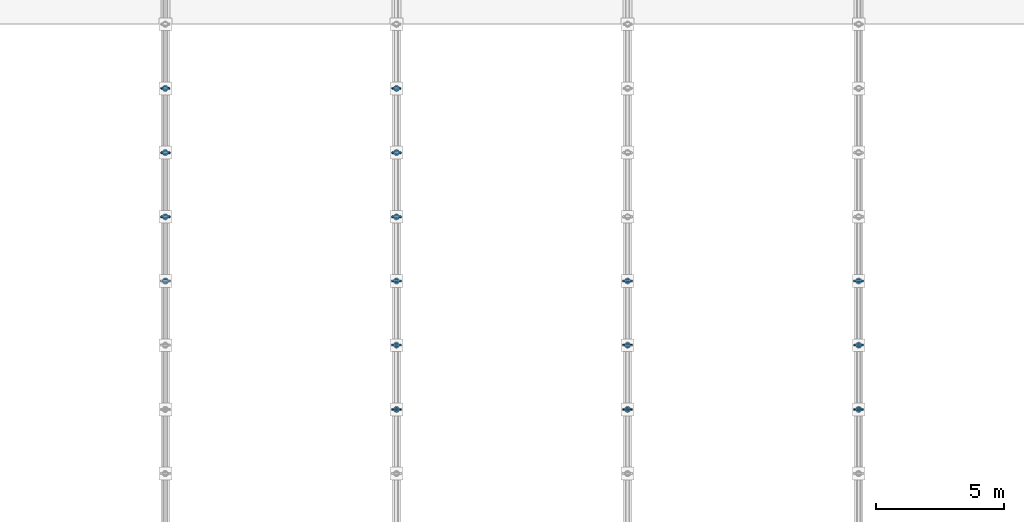
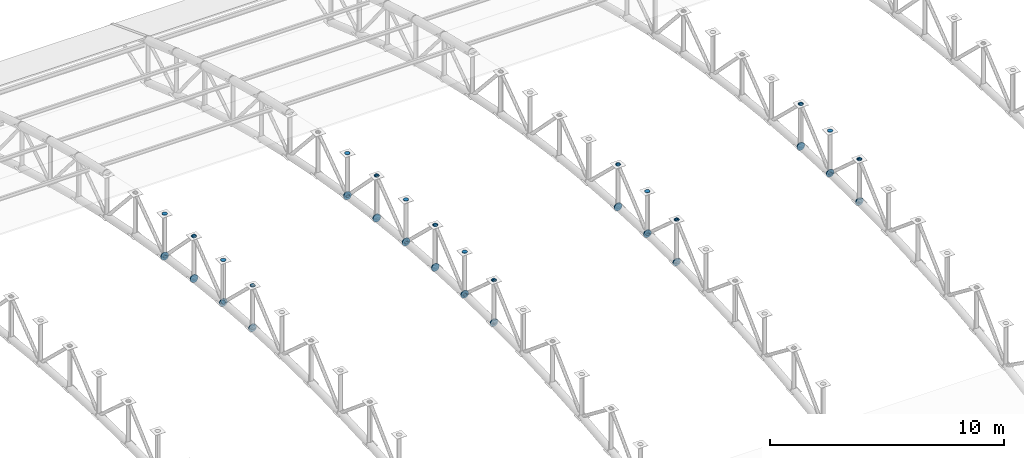
# One storey, part 157 of 195: 94 discrete accessories.
"""IFC4 building model written with IfcOpenShell, lengths in metres."""

from ifc_helpers import new_model, si_unit, direction, frame, origin, origin_2d, place, context, subcontext, project, spatial, circle, extrude, material, element, save


model = new_model("IFC4")

# Units and contexts
model_context = context("Model", 3, precision=1e-05, world=origin(), true_north=direction((0.0, 1.0)))
body_context = subcontext(model_context, "Body", "Model", "MODEL_VIEW")
ifc_project = project(units=[si_unit("LENGTHUNIT", "METRE"), si_unit("AREAUNIT", "SQUARE_METRE"), si_unit("VOLUMEUNIT", "CUBIC_METRE"), si_unit("PLANEANGLEUNIT", "RADIAN"), si_unit("MASSUNIT", "GRAM", prefix="KILO")], contexts=[model_context])

# Site, building, storey
site_placement = place(None, origin())
site = spatial("IfcSite", under=ifc_project, at=site_placement, CompositionType="ELEMENT")
building_placement = place(site_placement, origin())
building = spatial("IfcBuilding", under=site, at=building_placement, Name="Marlcrest Central Station", CompositionType="ELEMENT")
storey_placement = place(building_placement, frame((0.0, 0.0, 9.800048828125)))
storey = spatial("IfcBuildingStorey", under=building, at=storey_placement, Name="L02", CompositionType="ELEMENT", Elevation=9.800048828125)

# Discrete accessories
ifc_material = material(Name="Steel S355", Category="steel")
for number, where, z_axis, x_axis, name in (
    (1, (162.0, 70.985107421875, 4.64599609375), (0.0, 0.997007334767, -0.077307014043), (-1.0, 0.0, 0.0), "endcap-mem-AC-02-L02-01381-s"),
    (2, (162.0, 73.47509765625, 4.452880859375), (0.0, 0.997007334767, -0.077307014043), (-1.0, 0.0, 0.0), "endcap-mem-AC-02-L02-01381-e"),
):
    element("IfcDiscreteAccessory", number, at=place(storey_placement, frame(where, z_axis=z_axis, x_axis=x_axis)), inside=storey, material=ifc_material, Name=name, ObjectType="END_CAP_PLATE", PredefinedType="BRACKET", context=body_context, shape_type="SweptSolid", body=[
        extrude(circle(Radius=0.185791015625, at=origin_2d()), origin(), (0.0, 0.0, 1.0), 0.0400390625),
    ])
for number, where, z_axis, x_axis, name in (
    (3, (162.0, 71.0, 4.6298828125), (0.0, 0.0, 1.0), (1.0, 0.0, 0.0), "endcap-mem-AP-01-L02-01382-s"),
    (4, (162.0, 71.0, 6.820068359375), (0.0, 0.0, 1.0), (1.0, 0.0, 0.0), "endcap-mem-AP-01-L02-01382-e"),
):
    element("IfcDiscreteAccessory", number, at=place(storey_placement, frame(where, z_axis=z_axis, x_axis=x_axis)), inside=storey, material=ifc_material, Name=name, ObjectType="END_CAP_PLATE", PredefinedType="BRACKET", context=body_context, shape_type="SweptSolid", body=[
        extrude(circle(Radius=0.117431640625, at=origin_2d()), origin(), (0.0, 0.0, 1.0), 0.0400390625),
    ])
for number, where, z_axis, x_axis, name in (
    (5, (162.0, 70.9892578125, 6.855224609375), (0.0, 0.722246537655, -0.691635698071), (-1.0, 0.0, 0.0), "endcap-mem-AD-01-L02-01383-s"),
    (6, (162.0, 73.48193359375, 4.46826171875), (0.0, 0.722246537655, -0.691635698071), (-1.0, 0.0, 0.0), "endcap-mem-AD-01-L02-01383-e"),
):
    element("IfcDiscreteAccessory", number, at=place(storey_placement, frame(where, z_axis=z_axis, x_axis=x_axis)), inside=storey, material=ifc_material, Name=name, ObjectType="END_CAP_PLATE", PredefinedType="BRACKET", context=body_context, shape_type="SweptSolid", body=[
        extrude(circle(Radius=0.092041015625, at=origin_2d()), origin(), (0.0, 0.0, 1.0), 0.0400390625),
    ])
for number, where, z_axis, x_axis, name in (
    (7, (162.0, 73.485107421875, 4.45263671875), (0.0, 0.994155341034, -0.107959056565), (-1.0, 0.0, 0.0), "endcap-mem-AC-02-L02-01385-s"),
    (8, (162.0, 75.97509765625, 4.18212890625), (0.0, 0.994155341034, -0.107959056565), (-1.0, 0.0, 0.0), "endcap-mem-AC-02-L02-01385-e"),
):
    element("IfcDiscreteAccessory", number, at=place(storey_placement, frame(where, z_axis=z_axis, x_axis=x_axis)), inside=storey, material=ifc_material, Name=name, ObjectType="END_CAP_PLATE", PredefinedType="BRACKET", context=body_context, shape_type="SweptSolid", body=[
        extrude(circle(Radius=0.185791015625, at=origin_2d()), origin(), (0.0, 0.0, 1.0), 0.0400390625),
    ])
for number, where, z_axis, x_axis, name in (
    (9, (162.0, 73.5, 4.43603515625), (0.0, 0.0, 1.0), (1.0, 0.0, 0.0), "endcap-mem-AP-01-L02-01386-s"),
    (10, (162.0, 73.5, 6.6259765625), (0.0, 0.0, 1.0), (1.0, 0.0, 0.0), "endcap-mem-AP-01-L02-01386-e"),
):
    element("IfcDiscreteAccessory", number, at=place(storey_placement, frame(where, z_axis=z_axis, x_axis=x_axis)), inside=storey, material=ifc_material, Name=name, ObjectType="END_CAP_PLATE", PredefinedType="BRACKET", context=body_context, shape_type="SweptSolid", body=[
        extrude(circle(Radius=0.117431640625, at=origin_2d()), origin(), (0.0, 0.0, 1.0), 0.0400390625),
    ])
for number, where, z_axis, x_axis, name in (
    (11, (162.0, 73.488037109375, 4.441650390625), (0.0, 0.791798282026, 0.610782678684), (-1.0, 0.0, 0.0), "endcap-mem-AD-01-L02-01387-s"),
    (12, (162.0, 75.980224609375, 6.364013671875), (0.0, 0.791798282026, 0.610782678684), (-1.0, 0.0, 0.0), "endcap-mem-AD-01-L02-01387-e"),
):
    element("IfcDiscreteAccessory", number, at=place(storey_placement, frame(where, z_axis=z_axis, x_axis=x_axis)), inside=storey, material=ifc_material, Name=name, ObjectType="END_CAP_PLATE", PredefinedType="BRACKET", context=body_context, shape_type="SweptSolid", body=[
        extrude(circle(Radius=0.092041015625, at=origin_2d()), origin(), (0.0, 0.0, 1.0), 0.0400390625),
    ])
for number, where, z_axis, x_axis, name in (
    (13, (162.0, 75.985107421875, 4.181396484375), (0.0, 0.990402740232, -0.138211476152), (-1.0, 0.0, 0.0), "endcap-mem-AC-02-L02-01389-s"),
    (14, (162.0, 78.475341796875, 3.833984375), (0.0, 0.990402740232, -0.138211476152), (-1.0, 0.0, 0.0), "endcap-mem-AC-02-L02-01389-e"),
):
    element("IfcDiscreteAccessory", number, at=place(storey_placement, frame(where, z_axis=z_axis, x_axis=x_axis)), inside=storey, material=ifc_material, Name=name, ObjectType="END_CAP_PLATE", PredefinedType="BRACKET", context=body_context, shape_type="SweptSolid", body=[
        extrude(circle(Radius=0.185791015625, at=origin_2d()), origin(), (0.0, 0.0, 1.0), 0.0400390625),
    ])
for number, where, z_axis, x_axis, name in (
    (15, (162.0, 76.0, 4.16455078125), (0.0, 0.0, 1.0), (1.0, 0.0, 0.0), "endcap-mem-AP-01-L02-01390-s"),
    (16, (162.0, 76.0, 6.3544921875), (0.0, 0.0, 1.0), (1.0, 0.0, 0.0), "endcap-mem-AP-01-L02-01390-e"),
):
    element("IfcDiscreteAccessory", number, at=place(storey_placement, frame(where, z_axis=z_axis, x_axis=x_axis)), inside=storey, material=ifc_material, Name=name, ObjectType="END_CAP_PLATE", PredefinedType="BRACKET", context=body_context, shape_type="SweptSolid", body=[
        extrude(circle(Radius=0.117431640625, at=origin_2d()), origin(), (0.0, 0.0, 1.0), 0.0400390625),
    ])
for number, where, z_axis, x_axis, name in (
    (17, (162.0, 75.989501953125, 6.39013671875), (0.0, 0.70023547796, -0.713911952139), (-1.0, 0.0, 0.0), "endcap-mem-AD-01-L02-01391-s"),
    (18, (162.0, 78.482421875, 3.848388671875), (0.0, 0.70023547796, -0.713911952139), (-1.0, 0.0, 0.0), "endcap-mem-AD-01-L02-01391-e"),
):
    element("IfcDiscreteAccessory", number, at=place(storey_placement, frame(where, z_axis=z_axis, x_axis=x_axis)), inside=storey, material=ifc_material, Name=name, ObjectType="END_CAP_PLATE", PredefinedType="BRACKET", context=body_context, shape_type="SweptSolid", body=[
        extrude(circle(Radius=0.092041015625, at=origin_2d()), origin(), (0.0, 0.0, 1.0), 0.0400390625),
    ])
discrete_accessory_1_placement = place(storey_placement, frame((162.0, 78.485107421875, 3.8330078125), z_axis=(0.0, 0.98574109921, -0.168269086076), x_axis=(-1.0, 0.0, 0.0)))
element("IfcDiscreteAccessory", 19, at=discrete_accessory_1_placement, inside=storey, material=ifc_material, Name="endcap-mem-AC-02-L02-01393-s", ObjectType="END_CAP_PLATE", PredefinedType="BRACKET", context=body_context, shape_type="SweptSolid", body=[
    extrude(circle(Radius=0.185791015625, at=origin_2d()), origin(), (0.0, 0.0, 1.0), 0.0400390625),
])
for number, where, z_axis, x_axis, name in (
    (20, (162.0, 78.5, 3.815673828125), (0.0, 0.0, 1.0), (1.0, 0.0, 0.0), "endcap-mem-AP-01-L02-01394-s"),
    (21, (162.0, 78.5, 6.005615234375), (0.0, 0.0, 1.0), (1.0, 0.0, 0.0), "endcap-mem-AP-01-L02-01394-e"),
):
    element("IfcDiscreteAccessory", number, at=place(storey_placement, frame(where, z_axis=z_axis, x_axis=x_axis)), inside=storey, material=ifc_material, Name=name, ObjectType="END_CAP_PLATE", PredefinedType="BRACKET", context=body_context, shape_type="SweptSolid", body=[
        extrude(circle(Radius=0.117431640625, at=origin_2d()), origin(), (0.0, 0.0, 1.0), 0.0400390625),
    ])
discrete_accessory_2_placement = place(storey_placement, frame((162.0, 78.48779296875, 3.82177734375), z_axis=(0.0, 0.815661132754, 0.57852996164), x_axis=(-1.0, 0.0, 0.0)))
element("IfcDiscreteAccessory", 22, at=discrete_accessory_2_placement, inside=storey, material=ifc_material, Name="endcap-mem-AD-01-L02-01395-s", ObjectType="END_CAP_PLATE", PredefinedType="BRACKET", context=body_context, shape_type="SweptSolid", body=[
    extrude(circle(Radius=0.092041015625, at=origin_2d()), origin(), (0.0, 0.0, 1.0), 0.0400390625),
])
discrete_accessory_3_placement = place(storey_placement, frame((171.0, 65.97509765625, 4.799560546875), z_axis=(0.0, 0.999879472592, 0.01552547228), x_axis=(-1.0, 0.0, 0.0)))
element("IfcDiscreteAccessory", 23, at=discrete_accessory_3_placement, inside=storey, material=ifc_material, Name="endcap-mem-AC-02-L02-01485-e", ObjectType="END_CAP_PLATE", PredefinedType="BRACKET", context=body_context, shape_type="SweptSolid", body=[
    extrude(circle(Radius=0.185791015625, at=origin_2d()), origin(), (0.0, 0.0, 1.0), 0.0400390625),
])
discrete_accessory_4_placement = place(storey_placement, frame((171.0, 65.9814453125, 6.9833984375), z_axis=(0.0, 0.744955843007, 0.66711377738), x_axis=(-1.0, 0.0, 0.0)))
element("IfcDiscreteAccessory", 24, at=discrete_accessory_4_placement, inside=storey, material=ifc_material, Name="endcap-mem-AD-01-L02-01487-e", ObjectType="END_CAP_PLATE", PredefinedType="BRACKET", context=body_context, shape_type="SweptSolid", body=[
    extrude(circle(Radius=0.092041015625, at=origin_2d()), origin(), (0.0, 0.0, 1.0), 0.0400390625),
])
for number, where, z_axis, x_axis, name in (
    (25, (171.0, 65.985107421875, 4.80029296875), (0.0, 0.999879472592, -0.01552547228), (-1.0, 0.0, 0.0), "endcap-mem-AC-02-L02-01489-s"),
    (26, (171.0, 68.47509765625, 4.76171875), (0.0, 0.999879472592, -0.01552547228), (-1.0, 0.0, 0.0), "endcap-mem-AC-02-L02-01489-e"),
):
    element("IfcDiscreteAccessory", number, at=place(storey_placement, frame(where, z_axis=z_axis, x_axis=x_axis)), inside=storey, material=ifc_material, Name=name, ObjectType="END_CAP_PLATE", PredefinedType="BRACKET", context=body_context, shape_type="SweptSolid", body=[
        extrude(circle(Radius=0.185791015625, at=origin_2d()), origin(), (0.0, 0.0, 1.0), 0.0400390625),
    ])
for number, where, z_axis, x_axis, name in (
    (27, (171.0, 66.0, 4.78515625), (0.0, 0.0, 1.0), (1.0, 0.0, 0.0), "endcap-mem-AP-01-L02-01490-s"),
    (28, (171.0, 66.0, 6.97509765625), (0.0, 0.0, 1.0), (1.0, 0.0, 0.0), "endcap-mem-AP-01-L02-01490-e"),
):
    element("IfcDiscreteAccessory", number, at=place(storey_placement, frame(where, z_axis=z_axis, x_axis=x_axis)), inside=storey, material=ifc_material, Name=name, ObjectType="END_CAP_PLATE", PredefinedType="BRACKET", context=body_context, shape_type="SweptSolid", body=[
        extrude(circle(Radius=0.117431640625, at=origin_2d()), origin(), (0.0, 0.0, 1.0), 0.0400390625),
    ])
for number, where, z_axis, x_axis, name in (
    (29, (171.0, 65.98876953125, 7.010009765625), (0.0, 0.744955843007, -0.66711377738), (-1.0, 0.0, 0.0), "endcap-mem-AD-01-L02-01491-s"),
    (30, (171.0, 68.4814453125, 4.77783203125), (0.0, 0.744955843007, -0.66711377738), (-1.0, 0.0, 0.0), "endcap-mem-AD-01-L02-01491-e"),
):
    element("IfcDiscreteAccessory", number, at=place(storey_placement, frame(where, z_axis=z_axis, x_axis=x_axis)), inside=storey, material=ifc_material, Name=name, ObjectType="END_CAP_PLATE", PredefinedType="BRACKET", context=body_context, shape_type="SweptSolid", body=[
        extrude(circle(Radius=0.092041015625, at=origin_2d()), origin(), (0.0, 0.0, 1.0), 0.0400390625),
    ])
for number, where, z_axis, x_axis, name in (
    (31, (171.0, 68.485107421875, 4.761962890625), (0.0, 0.998916819647, -0.046531574509), (-1.0, 0.0, 0.0), "endcap-mem-AC-02-L02-01493-s"),
    (32, (171.0, 70.97509765625, 4.64599609375), (0.0, 0.998916819647, -0.046531574509), (-1.0, 0.0, 0.0), "endcap-mem-AC-02-L02-01493-e"),
):
    element("IfcDiscreteAccessory", number, at=place(storey_placement, frame(where, z_axis=z_axis, x_axis=x_axis)), inside=storey, material=ifc_material, Name=name, ObjectType="END_CAP_PLATE", PredefinedType="BRACKET", context=body_context, shape_type="SweptSolid", body=[
        extrude(circle(Radius=0.185791015625, at=origin_2d()), origin(), (0.0, 0.0, 1.0), 0.0400390625),
    ])
for number, where, z_axis, x_axis, name in (
    (33, (171.0, 68.5, 4.746337890625), (0.0, 0.0, 1.0), (1.0, 0.0, 0.0), "endcap-mem-AP-01-L02-01494-s"),
    (34, (171.0, 68.5, 6.936279296875), (0.0, 0.0, 1.0), (1.0, 0.0, 0.0), "endcap-mem-AP-01-L02-01494-e"),
):
    element("IfcDiscreteAccessory", number, at=place(storey_placement, frame(where, z_axis=z_axis, x_axis=x_axis)), inside=storey, material=ifc_material, Name=name, ObjectType="END_CAP_PLATE", PredefinedType="BRACKET", context=body_context, shape_type="SweptSolid", body=[
        extrude(circle(Radius=0.117431640625, at=origin_2d()), origin(), (0.0, 0.0, 1.0), 0.0400390625),
    ])
for number, where, z_axis, x_axis, name in (
    (35, (171.0, 68.488525390625, 4.751708984375), (0.0, 0.768159787854, 0.640258182552), (-1.0, 0.0, 0.0), "endcap-mem-AD-01-L02-01495-s"),
    (36, (171.0, 70.980712890625, 6.828857421875), (0.0, 0.768159787854, 0.640258182552), (-1.0, 0.0, 0.0), "endcap-mem-AD-01-L02-01495-e"),
):
    element("IfcDiscreteAccessory", number, at=place(storey_placement, frame(where, z_axis=z_axis, x_axis=x_axis)), inside=storey, material=ifc_material, Name=name, ObjectType="END_CAP_PLATE", PredefinedType="BRACKET", context=body_context, shape_type="SweptSolid", body=[
        extrude(circle(Radius=0.092041015625, at=origin_2d()), origin(), (0.0, 0.0, 1.0), 0.0400390625),
    ])
for number, where, z_axis, x_axis, name in (
    (37, (171.0, 70.985107421875, 4.64599609375), (0.0, 0.997007334767, -0.077307014043), (-1.0, 0.0, 0.0), "endcap-mem-AC-02-L02-01497-s"),
    (38, (171.0, 73.47509765625, 4.452880859375), (0.0, 0.997007334767, -0.077307014043), (-1.0, 0.0, 0.0), "endcap-mem-AC-02-L02-01497-e"),
):
    element("IfcDiscreteAccessory", number, at=place(storey_placement, frame(where, z_axis=z_axis, x_axis=x_axis)), inside=storey, material=ifc_material, Name=name, ObjectType="END_CAP_PLATE", PredefinedType="BRACKET", context=body_context, shape_type="SweptSolid", body=[
        extrude(circle(Radius=0.185791015625, at=origin_2d()), origin(), (0.0, 0.0, 1.0), 0.0400390625),
    ])
for number, where, z_axis, x_axis, name in (
    (39, (171.0, 71.0, 4.6298828125), (0.0, 0.0, 1.0), (1.0, 0.0, 0.0), "endcap-mem-AP-01-L02-01498-s"),
    (40, (171.0, 71.0, 6.820068359375), (0.0, 0.0, 1.0), (1.0, 0.0, 0.0), "endcap-mem-AP-01-L02-01498-e"),
):
    element("IfcDiscreteAccessory", number, at=place(storey_placement, frame(where, z_axis=z_axis, x_axis=x_axis)), inside=storey, material=ifc_material, Name=name, ObjectType="END_CAP_PLATE", PredefinedType="BRACKET", context=body_context, shape_type="SweptSolid", body=[
        extrude(circle(Radius=0.117431640625, at=origin_2d()), origin(), (0.0, 0.0, 1.0), 0.0400390625),
    ])
for number, where, z_axis, x_axis, name in (
    (41, (171.0, 70.9892578125, 6.855224609375), (0.0, 0.722246537655, -0.691635698071), (-1.0, 0.0, 0.0), "endcap-mem-AD-01-L02-01499-s"),
    (42, (171.0, 73.48193359375, 4.46826171875), (0.0, 0.722246537655, -0.691635698071), (-1.0, 0.0, 0.0), "endcap-mem-AD-01-L02-01499-e"),
):
    element("IfcDiscreteAccessory", number, at=place(storey_placement, frame(where, z_axis=z_axis, x_axis=x_axis)), inside=storey, material=ifc_material, Name=name, ObjectType="END_CAP_PLATE", PredefinedType="BRACKET", context=body_context, shape_type="SweptSolid", body=[
        extrude(circle(Radius=0.092041015625, at=origin_2d()), origin(), (0.0, 0.0, 1.0), 0.0400390625),
    ])
for number, where, z_axis, x_axis, name in (
    (43, (171.0, 73.485107421875, 4.45263671875), (0.0, 0.994155341034, -0.107959056565), (-1.0, 0.0, 0.0), "endcap-mem-AC-02-L02-01501-s"),
    (44, (171.0, 75.97509765625, 4.18212890625), (0.0, 0.994155341034, -0.107959056565), (-1.0, 0.0, 0.0), "endcap-mem-AC-02-L02-01501-e"),
):
    element("IfcDiscreteAccessory", number, at=place(storey_placement, frame(where, z_axis=z_axis, x_axis=x_axis)), inside=storey, material=ifc_material, Name=name, ObjectType="END_CAP_PLATE", PredefinedType="BRACKET", context=body_context, shape_type="SweptSolid", body=[
        extrude(circle(Radius=0.185791015625, at=origin_2d()), origin(), (0.0, 0.0, 1.0), 0.0400390625),
    ])
for number, where, z_axis, x_axis, name in (
    (45, (171.0, 73.5, 4.43603515625), (0.0, 0.0, 1.0), (1.0, 0.0, 0.0), "endcap-mem-AP-01-L02-01502-s"),
    (46, (171.0, 73.5, 6.6259765625), (0.0, 0.0, 1.0), (1.0, 0.0, 0.0), "endcap-mem-AP-01-L02-01502-e"),
):
    element("IfcDiscreteAccessory", number, at=place(storey_placement, frame(where, z_axis=z_axis, x_axis=x_axis)), inside=storey, material=ifc_material, Name=name, ObjectType="END_CAP_PLATE", PredefinedType="BRACKET", context=body_context, shape_type="SweptSolid", body=[
        extrude(circle(Radius=0.117431640625, at=origin_2d()), origin(), (0.0, 0.0, 1.0), 0.0400390625),
    ])
for number, where, z_axis, x_axis, name in (
    (47, (171.0, 73.488037109375, 4.441650390625), (0.0, 0.791798282026, 0.610782678684), (-1.0, 0.0, 0.0), "endcap-mem-AD-01-L02-01503-s"),
    (48, (171.0, 75.980224609375, 6.364013671875), (0.0, 0.791798282026, 0.610782678684), (-1.0, 0.0, 0.0), "endcap-mem-AD-01-L02-01503-e"),
):
    element("IfcDiscreteAccessory", number, at=place(storey_placement, frame(where, z_axis=z_axis, x_axis=x_axis)), inside=storey, material=ifc_material, Name=name, ObjectType="END_CAP_PLATE", PredefinedType="BRACKET", context=body_context, shape_type="SweptSolid", body=[
        extrude(circle(Radius=0.092041015625, at=origin_2d()), origin(), (0.0, 0.0, 1.0), 0.0400390625),
    ])
for number, where, z_axis, x_axis, name in (
    (49, (171.0, 75.985107421875, 4.181396484375), (0.0, 0.990402740232, -0.138211476152), (-1.0, 0.0, 0.0), "endcap-mem-AC-02-L02-01505-s"),
    (50, (171.0, 78.475341796875, 3.833984375), (0.0, 0.990402740232, -0.138211476152), (-1.0, 0.0, 0.0), "endcap-mem-AC-02-L02-01505-e"),
):
    element("IfcDiscreteAccessory", number, at=place(storey_placement, frame(where, z_axis=z_axis, x_axis=x_axis)), inside=storey, material=ifc_material, Name=name, ObjectType="END_CAP_PLATE", PredefinedType="BRACKET", context=body_context, shape_type="SweptSolid", body=[
        extrude(circle(Radius=0.185791015625, at=origin_2d()), origin(), (0.0, 0.0, 1.0), 0.0400390625),
    ])
for number, where, z_axis, x_axis, name in (
    (51, (171.0, 76.0, 4.16455078125), (0.0, 0.0, 1.0), (1.0, 0.0, 0.0), "endcap-mem-AP-01-L02-01506-s"),
    (52, (171.0, 76.0, 6.3544921875), (0.0, 0.0, 1.0), (1.0, 0.0, 0.0), "endcap-mem-AP-01-L02-01506-e"),
):
    element("IfcDiscreteAccessory", number, at=place(storey_placement, frame(where, z_axis=z_axis, x_axis=x_axis)), inside=storey, material=ifc_material, Name=name, ObjectType="END_CAP_PLATE", PredefinedType="BRACKET", context=body_context, shape_type="SweptSolid", body=[
        extrude(circle(Radius=0.117431640625, at=origin_2d()), origin(), (0.0, 0.0, 1.0), 0.0400390625),
    ])
for number, where, z_axis, x_axis, name in (
    (53, (171.0, 75.989501953125, 6.39013671875), (0.0, 0.70023547796, -0.713911952139), (-1.0, 0.0, 0.0), "endcap-mem-AD-01-L02-01507-s"),
    (54, (171.0, 78.482421875, 3.848388671875), (0.0, 0.70023547796, -0.713911952139), (-1.0, 0.0, 0.0), "endcap-mem-AD-01-L02-01507-e"),
):
    element("IfcDiscreteAccessory", number, at=place(storey_placement, frame(where, z_axis=z_axis, x_axis=x_axis)), inside=storey, material=ifc_material, Name=name, ObjectType="END_CAP_PLATE", PredefinedType="BRACKET", context=body_context, shape_type="SweptSolid", body=[
        extrude(circle(Radius=0.092041015625, at=origin_2d()), origin(), (0.0, 0.0, 1.0), 0.0400390625),
    ])
discrete_accessory_5_placement = place(storey_placement, frame((171.0, 78.485107421875, 3.8330078125), z_axis=(0.0, 0.98574109921, -0.168269086076), x_axis=(-1.0, 0.0, 0.0)))
element("IfcDiscreteAccessory", 55, at=discrete_accessory_5_placement, inside=storey, material=ifc_material, Name="endcap-mem-AC-02-L02-01509-s", ObjectType="END_CAP_PLATE", PredefinedType="BRACKET", context=body_context, shape_type="SweptSolid", body=[
    extrude(circle(Radius=0.185791015625, at=origin_2d()), origin(), (0.0, 0.0, 1.0), 0.0400390625),
])
for number, where, z_axis, x_axis, name in (
    (56, (171.0, 78.5, 3.815673828125), (0.0, 0.0, 1.0), (1.0, 0.0, 0.0), "endcap-mem-AP-01-L02-01510-s"),
    (57, (171.0, 78.5, 6.005615234375), (0.0, 0.0, 1.0), (1.0, 0.0, 0.0), "endcap-mem-AP-01-L02-01510-e"),
):
    element("IfcDiscreteAccessory", number, at=place(storey_placement, frame(where, z_axis=z_axis, x_axis=x_axis)), inside=storey, material=ifc_material, Name=name, ObjectType="END_CAP_PLATE", PredefinedType="BRACKET", context=body_context, shape_type="SweptSolid", body=[
        extrude(circle(Radius=0.117431640625, at=origin_2d()), origin(), (0.0, 0.0, 1.0), 0.0400390625),
    ])
discrete_accessory_6_placement = place(storey_placement, frame((171.0, 78.48779296875, 3.82177734375), z_axis=(0.0, 0.815661132754, 0.57852996164), x_axis=(-1.0, 0.0, 0.0)))
element("IfcDiscreteAccessory", 58, at=discrete_accessory_6_placement, inside=storey, material=ifc_material, Name="endcap-mem-AD-01-L02-01511-s", ObjectType="END_CAP_PLATE", PredefinedType="BRACKET", context=body_context, shape_type="SweptSolid", body=[
    extrude(circle(Radius=0.092041015625, at=origin_2d()), origin(), (0.0, 0.0, 1.0), 0.0400390625),
])
discrete_accessory_7_placement = place(storey_placement, frame((180.0, 65.97509765625, 4.799560546875), z_axis=(0.0, 0.999879472592, 0.01552547228), x_axis=(-1.0, 0.0, 0.0)))
element("IfcDiscreteAccessory", 59, at=discrete_accessory_7_placement, inside=storey, material=ifc_material, Name="endcap-mem-AC-02-L02-01601-e", ObjectType="END_CAP_PLATE", PredefinedType="BRACKET", context=body_context, shape_type="SweptSolid", body=[
    extrude(circle(Radius=0.185791015625, at=origin_2d()), origin(), (0.0, 0.0, 1.0), 0.0400390625),
])
discrete_accessory_8_placement = place(storey_placement, frame((180.0, 65.9814453125, 6.9833984375), z_axis=(0.0, 0.744955843007, 0.66711377738), x_axis=(-1.0, 0.0, 0.0)))
element("IfcDiscreteAccessory", 60, at=discrete_accessory_8_placement, inside=storey, material=ifc_material, Name="endcap-mem-AD-01-L02-01603-e", ObjectType="END_CAP_PLATE", PredefinedType="BRACKET", context=body_context, shape_type="SweptSolid", body=[
    extrude(circle(Radius=0.092041015625, at=origin_2d()), origin(), (0.0, 0.0, 1.0), 0.0400390625),
])
for number, where, z_axis, x_axis, name in (
    (61, (180.0, 65.985107421875, 4.80029296875), (0.0, 0.999879472592, -0.01552547228), (-1.0, 0.0, 0.0), "endcap-mem-AC-02-L02-01605-s"),
    (62, (180.0, 68.47509765625, 4.76171875), (0.0, 0.999879472592, -0.01552547228), (-1.0, 0.0, 0.0), "endcap-mem-AC-02-L02-01605-e"),
):
    element("IfcDiscreteAccessory", number, at=place(storey_placement, frame(where, z_axis=z_axis, x_axis=x_axis)), inside=storey, material=ifc_material, Name=name, ObjectType="END_CAP_PLATE", PredefinedType="BRACKET", context=body_context, shape_type="SweptSolid", body=[
        extrude(circle(Radius=0.185791015625, at=origin_2d()), origin(), (0.0, 0.0, 1.0), 0.0400390625),
    ])
for number, where, z_axis, x_axis, name in (
    (63, (180.0, 66.0, 4.78515625), (0.0, 0.0, 1.0), (1.0, 0.0, 0.0), "endcap-mem-AP-01-L02-01606-s"),
    (64, (180.0, 66.0, 6.97509765625), (0.0, 0.0, 1.0), (1.0, 0.0, 0.0), "endcap-mem-AP-01-L02-01606-e"),
):
    element("IfcDiscreteAccessory", number, at=place(storey_placement, frame(where, z_axis=z_axis, x_axis=x_axis)), inside=storey, material=ifc_material, Name=name, ObjectType="END_CAP_PLATE", PredefinedType="BRACKET", context=body_context, shape_type="SweptSolid", body=[
        extrude(circle(Radius=0.117431640625, at=origin_2d()), origin(), (0.0, 0.0, 1.0), 0.0400390625),
    ])
for number, where, z_axis, x_axis, name in (
    (65, (180.0, 65.98876953125, 7.010009765625), (0.0, 0.744955843007, -0.66711377738), (-1.0, 0.0, 0.0), "endcap-mem-AD-01-L02-01607-s"),
    (66, (180.0, 68.4814453125, 4.77783203125), (0.0, 0.744955843007, -0.66711377738), (-1.0, 0.0, 0.0), "endcap-mem-AD-01-L02-01607-e"),
):
    element("IfcDiscreteAccessory", number, at=place(storey_placement, frame(where, z_axis=z_axis, x_axis=x_axis)), inside=storey, material=ifc_material, Name=name, ObjectType="END_CAP_PLATE", PredefinedType="BRACKET", context=body_context, shape_type="SweptSolid", body=[
        extrude(circle(Radius=0.092041015625, at=origin_2d()), origin(), (0.0, 0.0, 1.0), 0.0400390625),
    ])
for number, where, z_axis, x_axis, name in (
    (67, (180.0, 68.485107421875, 4.761962890625), (0.0, 0.998916819647, -0.046531574509), (-1.0, 0.0, 0.0), "endcap-mem-AC-02-L02-01609-s"),
    (68, (180.0, 70.97509765625, 4.64599609375), (0.0, 0.998916819647, -0.046531574509), (-1.0, 0.0, 0.0), "endcap-mem-AC-02-L02-01609-e"),
):
    element("IfcDiscreteAccessory", number, at=place(storey_placement, frame(where, z_axis=z_axis, x_axis=x_axis)), inside=storey, material=ifc_material, Name=name, ObjectType="END_CAP_PLATE", PredefinedType="BRACKET", context=body_context, shape_type="SweptSolid", body=[
        extrude(circle(Radius=0.185791015625, at=origin_2d()), origin(), (0.0, 0.0, 1.0), 0.0400390625),
    ])
for number, where, z_axis, x_axis, name in (
    (69, (180.0, 68.5, 4.746337890625), (0.0, 0.0, 1.0), (1.0, 0.0, 0.0), "endcap-mem-AP-01-L02-01610-s"),
    (70, (180.0, 68.5, 6.936279296875), (0.0, 0.0, 1.0), (1.0, 0.0, 0.0), "endcap-mem-AP-01-L02-01610-e"),
):
    element("IfcDiscreteAccessory", number, at=place(storey_placement, frame(where, z_axis=z_axis, x_axis=x_axis)), inside=storey, material=ifc_material, Name=name, ObjectType="END_CAP_PLATE", PredefinedType="BRACKET", context=body_context, shape_type="SweptSolid", body=[
        extrude(circle(Radius=0.117431640625, at=origin_2d()), origin(), (0.0, 0.0, 1.0), 0.0400390625),
    ])
for number, where, z_axis, x_axis, name in (
    (71, (180.0, 68.488525390625, 4.751708984375), (0.0, 0.768159787854, 0.640258182552), (-1.0, 0.0, 0.0), "endcap-mem-AD-01-L02-01611-s"),
    (72, (180.0, 70.980712890625, 6.828857421875), (0.0, 0.768159787854, 0.640258182552), (-1.0, 0.0, 0.0), "endcap-mem-AD-01-L02-01611-e"),
):
    element("IfcDiscreteAccessory", number, at=place(storey_placement, frame(where, z_axis=z_axis, x_axis=x_axis)), inside=storey, material=ifc_material, Name=name, ObjectType="END_CAP_PLATE", PredefinedType="BRACKET", context=body_context, shape_type="SweptSolid", body=[
        extrude(circle(Radius=0.092041015625, at=origin_2d()), origin(), (0.0, 0.0, 1.0), 0.0400390625),
    ])
discrete_accessory_9_placement = place(storey_placement, frame((180.0, 70.985107421875, 4.64599609375), z_axis=(0.0, 0.997007334767, -0.077307014043), x_axis=(-1.0, 0.0, 0.0)))
element("IfcDiscreteAccessory", 73, at=discrete_accessory_9_placement, inside=storey, material=ifc_material, Name="endcap-mem-AC-02-L02-01613-s", ObjectType="END_CAP_PLATE", PredefinedType="BRACKET", context=body_context, shape_type="SweptSolid", body=[
    extrude(circle(Radius=0.185791015625, at=origin_2d()), origin(), (0.0, 0.0, 1.0), 0.0400390625),
])
for number, where, z_axis, x_axis, name in (
    (74, (180.0, 71.0, 4.6298828125), (0.0, 0.0, 1.0), (1.0, 0.0, 0.0), "endcap-mem-AP-01-L02-01614-s"),
    (75, (180.0, 71.0, 6.820068359375), (0.0, 0.0, 1.0), (1.0, 0.0, 0.0), "endcap-mem-AP-01-L02-01614-e"),
):
    element("IfcDiscreteAccessory", number, at=place(storey_placement, frame(where, z_axis=z_axis, x_axis=x_axis)), inside=storey, material=ifc_material, Name=name, ObjectType="END_CAP_PLATE", PredefinedType="BRACKET", context=body_context, shape_type="SweptSolid", body=[
        extrude(circle(Radius=0.117431640625, at=origin_2d()), origin(), (0.0, 0.0, 1.0), 0.0400390625),
    ])
discrete_accessory_10_placement = place(storey_placement, frame((180.0, 70.9892578125, 6.855224609375), z_axis=(0.0, 0.722246537655, -0.691635698071), x_axis=(-1.0, 0.0, 0.0)))
element("IfcDiscreteAccessory", 76, at=discrete_accessory_10_placement, inside=storey, material=ifc_material, Name="endcap-mem-AD-01-L02-01615-s", ObjectType="END_CAP_PLATE", PredefinedType="BRACKET", context=body_context, shape_type="SweptSolid", body=[
    extrude(circle(Radius=0.092041015625, at=origin_2d()), origin(), (0.0, 0.0, 1.0), 0.0400390625),
])
discrete_accessory_11_placement = place(storey_placement, frame((189.0, 65.97509765625, 4.799560546875), z_axis=(0.0, 0.999879472592, 0.01552547228), x_axis=(-1.0, 0.0, 0.0)))
element("IfcDiscreteAccessory", 77, at=discrete_accessory_11_placement, inside=storey, material=ifc_material, Name="endcap-mem-AC-02-L02-01717-e", ObjectType="END_CAP_PLATE", PredefinedType="BRACKET", context=body_context, shape_type="SweptSolid", body=[
    extrude(circle(Radius=0.185791015625, at=origin_2d()), origin(), (0.0, 0.0, 1.0), 0.0400390625),
])
discrete_accessory_12_placement = place(storey_placement, frame((189.0, 65.9814453125, 6.9833984375), z_axis=(0.0, 0.744955843007, 0.66711377738), x_axis=(-1.0, 0.0, 0.0)))
element("IfcDiscreteAccessory", 78, at=discrete_accessory_12_placement, inside=storey, material=ifc_material, Name="endcap-mem-AD-01-L02-01719-e", ObjectType="END_CAP_PLATE", PredefinedType="BRACKET", context=body_context, shape_type="SweptSolid", body=[
    extrude(circle(Radius=0.092041015625, at=origin_2d()), origin(), (0.0, 0.0, 1.0), 0.0400390625),
])
for number, where, z_axis, x_axis, name in (
    (79, (189.0, 65.985107421875, 4.80029296875), (0.0, 0.999879472592, -0.01552547228), (-1.0, 0.0, 0.0), "endcap-mem-AC-02-L02-01721-s"),
    (80, (189.0, 68.47509765625, 4.76171875), (0.0, 0.999879472592, -0.01552547228), (-1.0, 0.0, 0.0), "endcap-mem-AC-02-L02-01721-e"),
):
    element("IfcDiscreteAccessory", number, at=place(storey_placement, frame(where, z_axis=z_axis, x_axis=x_axis)), inside=storey, material=ifc_material, Name=name, ObjectType="END_CAP_PLATE", PredefinedType="BRACKET", context=body_context, shape_type="SweptSolid", body=[
        extrude(circle(Radius=0.185791015625, at=origin_2d()), origin(), (0.0, 0.0, 1.0), 0.0400390625),
    ])
for number, where, z_axis, x_axis, name in (
    (81, (189.0, 66.0, 4.78515625), (0.0, 0.0, 1.0), (1.0, 0.0, 0.0), "endcap-mem-AP-01-L02-01722-s"),
    (82, (189.0, 66.0, 6.97509765625), (0.0, 0.0, 1.0), (1.0, 0.0, 0.0), "endcap-mem-AP-01-L02-01722-e"),
):
    element("IfcDiscreteAccessory", number, at=place(storey_placement, frame(where, z_axis=z_axis, x_axis=x_axis)), inside=storey, material=ifc_material, Name=name, ObjectType="END_CAP_PLATE", PredefinedType="BRACKET", context=body_context, shape_type="SweptSolid", body=[
        extrude(circle(Radius=0.117431640625, at=origin_2d()), origin(), (0.0, 0.0, 1.0), 0.0400390625),
    ])
for number, where, z_axis, x_axis, name in (
    (83, (189.0, 65.98876953125, 7.010009765625), (0.0, 0.744955843007, -0.66711377738), (-1.0, 0.0, 0.0), "endcap-mem-AD-01-L02-01723-s"),
    (84, (189.0, 68.4814453125, 4.77783203125), (0.0, 0.744955843007, -0.66711377738), (-1.0, 0.0, 0.0), "endcap-mem-AD-01-L02-01723-e"),
):
    element("IfcDiscreteAccessory", number, at=place(storey_placement, frame(where, z_axis=z_axis, x_axis=x_axis)), inside=storey, material=ifc_material, Name=name, ObjectType="END_CAP_PLATE", PredefinedType="BRACKET", context=body_context, shape_type="SweptSolid", body=[
        extrude(circle(Radius=0.092041015625, at=origin_2d()), origin(), (0.0, 0.0, 1.0), 0.0400390625),
    ])
for number, where, z_axis, x_axis, name in (
    (85, (189.0, 68.485107421875, 4.761962890625), (0.0, 0.998916819647, -0.046531574509), (-1.0, 0.0, 0.0), "endcap-mem-AC-02-L02-01725-s"),
    (86, (189.0, 70.97509765625, 4.64599609375), (0.0, 0.998916819647, -0.046531574509), (-1.0, 0.0, 0.0), "endcap-mem-AC-02-L02-01725-e"),
):
    element("IfcDiscreteAccessory", number, at=place(storey_placement, frame(where, z_axis=z_axis, x_axis=x_axis)), inside=storey, material=ifc_material, Name=name, ObjectType="END_CAP_PLATE", PredefinedType="BRACKET", context=body_context, shape_type="SweptSolid", body=[
        extrude(circle(Radius=0.185791015625, at=origin_2d()), origin(), (0.0, 0.0, 1.0), 0.0400390625),
    ])
for number, where, z_axis, x_axis, name in (
    (87, (189.0, 68.5, 4.746337890625), (0.0, 0.0, 1.0), (1.0, 0.0, 0.0), "endcap-mem-AP-01-L02-01726-s"),
    (88, (189.0, 68.5, 6.936279296875), (0.0, 0.0, 1.0), (1.0, 0.0, 0.0), "endcap-mem-AP-01-L02-01726-e"),
):
    element("IfcDiscreteAccessory", number, at=place(storey_placement, frame(where, z_axis=z_axis, x_axis=x_axis)), inside=storey, material=ifc_material, Name=name, ObjectType="END_CAP_PLATE", PredefinedType="BRACKET", context=body_context, shape_type="SweptSolid", body=[
        extrude(circle(Radius=0.117431640625, at=origin_2d()), origin(), (0.0, 0.0, 1.0), 0.0400390625),
    ])
for number, where, z_axis, x_axis, name in (
    (89, (189.0, 68.488525390625, 4.751708984375), (0.0, 0.768159787854, 0.640258182552), (-1.0, 0.0, 0.0), "endcap-mem-AD-01-L02-01727-s"),
    (90, (189.0, 70.980712890625, 6.828857421875), (0.0, 0.768159787854, 0.640258182552), (-1.0, 0.0, 0.0), "endcap-mem-AD-01-L02-01727-e"),
):
    element("IfcDiscreteAccessory", number, at=place(storey_placement, frame(where, z_axis=z_axis, x_axis=x_axis)), inside=storey, material=ifc_material, Name=name, ObjectType="END_CAP_PLATE", PredefinedType="BRACKET", context=body_context, shape_type="SweptSolid", body=[
        extrude(circle(Radius=0.092041015625, at=origin_2d()), origin(), (0.0, 0.0, 1.0), 0.0400390625),
    ])
discrete_accessory_13_placement = place(storey_placement, frame((189.0, 70.985107421875, 4.64599609375), z_axis=(0.0, 0.997007334767, -0.077307014043), x_axis=(-1.0, 0.0, 0.0)))
element("IfcDiscreteAccessory", 91, at=discrete_accessory_13_placement, inside=storey, material=ifc_material, Name="endcap-mem-AC-02-L02-01729-s", ObjectType="END_CAP_PLATE", PredefinedType="BRACKET", context=body_context, shape_type="SweptSolid", body=[
    extrude(circle(Radius=0.185791015625, at=origin_2d()), origin(), (0.0, 0.0, 1.0), 0.0400390625),
])
for number, where, z_axis, x_axis, name in (
    (92, (189.0, 71.0, 4.6298828125), (0.0, 0.0, 1.0), (1.0, 0.0, 0.0), "endcap-mem-AP-01-L02-01730-s"),
    (93, (189.0, 71.0, 6.820068359375), (0.0, 0.0, 1.0), (1.0, 0.0, 0.0), "endcap-mem-AP-01-L02-01730-e"),
):
    element("IfcDiscreteAccessory", number, at=place(storey_placement, frame(where, z_axis=z_axis, x_axis=x_axis)), inside=storey, material=ifc_material, Name=name, ObjectType="END_CAP_PLATE", PredefinedType="BRACKET", context=body_context, shape_type="SweptSolid", body=[
        extrude(circle(Radius=0.117431640625, at=origin_2d()), origin(), (0.0, 0.0, 1.0), 0.0400390625),
    ])
discrete_accessory_14_placement = place(storey_placement, frame((189.0, 70.9892578125, 6.855224609375), z_axis=(0.0, 0.722246537655, -0.691635698071), x_axis=(-1.0, 0.0, 0.0)))
element("IfcDiscreteAccessory", 94, at=discrete_accessory_14_placement, inside=storey, material=ifc_material, Name="endcap-mem-AD-01-L02-01731-s", ObjectType="END_CAP_PLATE", PredefinedType="BRACKET", context=body_context, shape_type="SweptSolid", body=[
    extrude(circle(Radius=0.092041015625, at=origin_2d()), origin(), (0.0, 0.0, 1.0), 0.0400390625),
])

save(model, "model.ifc")
